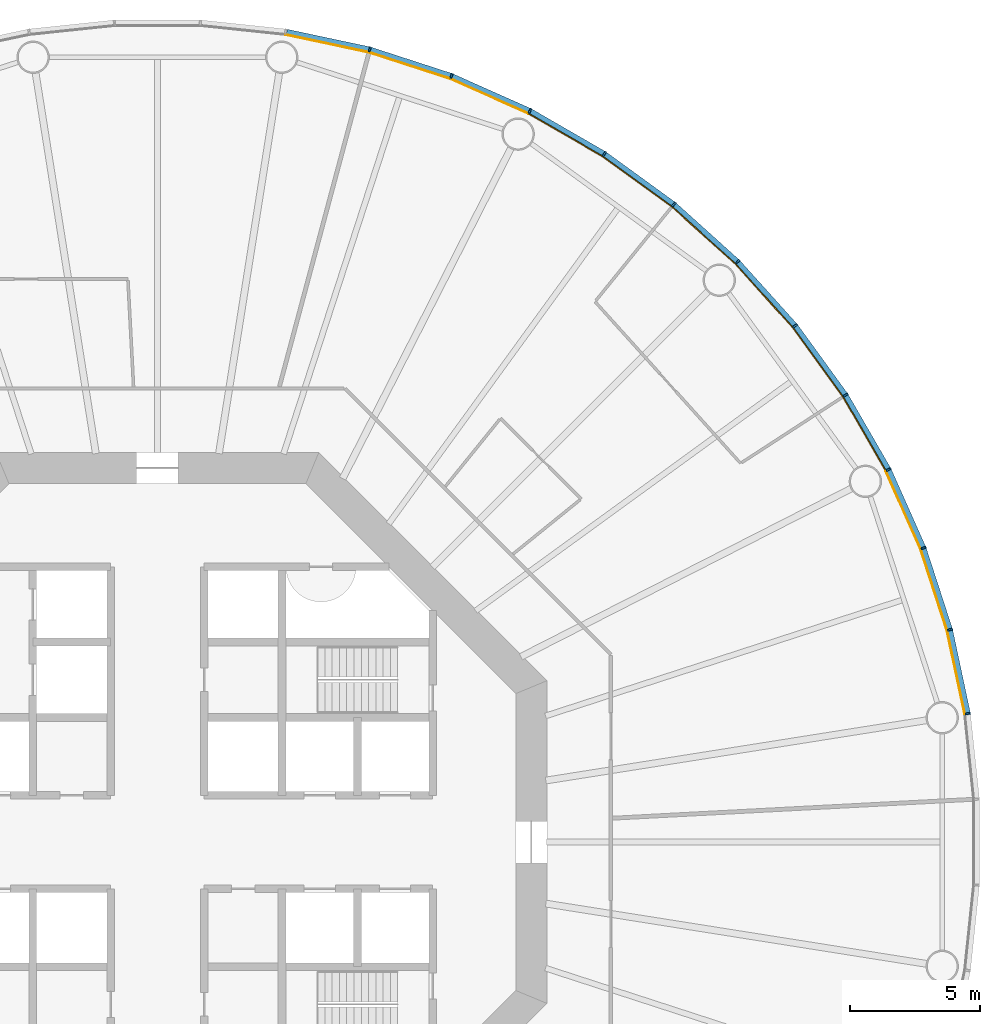
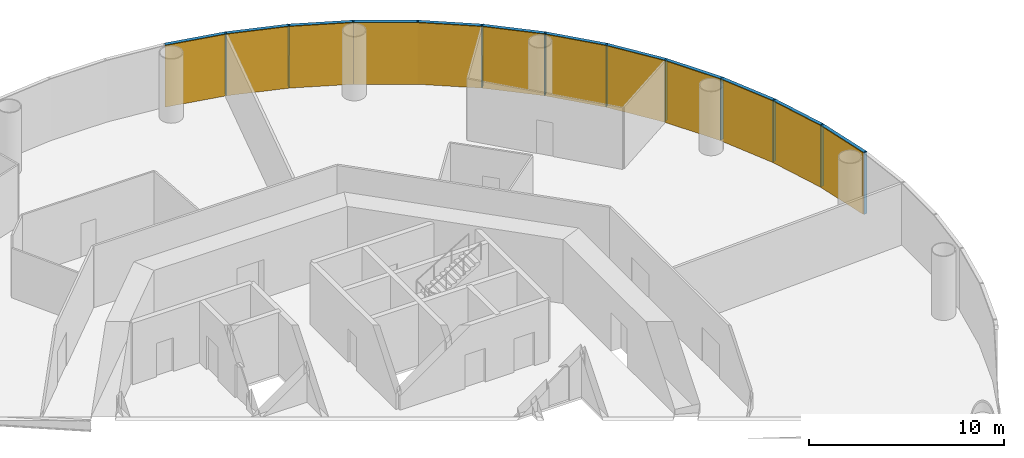
# One storey, part 12 of 13: 24 members, 4 curtain walls.
"""IFC4 building model written with IfcOpenShell, lengths in metres."""

from ifc_helpers import new_model, si_unit, direction, frame, origin, origin_2d, place, context, subcontext, project, spatial, polyline, rectangle, outline, extrude, material, layer, layer_set, material_profile, profile_set, type_object, element, aggregate, save


model = new_model("IFC4")

# Units and contexts
model_context = context("Model", 3, precision=1e-05, world=origin(), true_north=direction((0.0, 1.0)))
body_context = subcontext(model_context, "Body", "Model", "MODEL_VIEW")
ifc_project = project(units=[si_unit("LENGTHUNIT", "METRE"), si_unit("AREAUNIT", "SQUARE_METRE"), si_unit("VOLUMEUNIT", "CUBIC_METRE"), si_unit("PLANEANGLEUNIT", "RADIAN"), si_unit("MASSUNIT", "GRAM", prefix="KILO")], contexts=[model_context])

# Member
ifc_material_1 = material(Name="Anodised aluminium", Category="aluminium")
ifc_material_profile_1 = material_profile(ifc_material_1, rectangle(XDim=0.070068359375, YDim=0.199951171875, at=origin_2d()), Name="Mullion 70 x 200 mm anodised aluminium")
ifc_profile_set_1 = profile_set([ifc_material_profile_1], Name="Anodised aluminium")
member_type_1 = type_object("IfcMemberType", Name="Mullion 70 x 200 mm anodised aluminium", PredefinedType="MULLION", material=ifc_profile_set_1)
site_placement = place(None, origin())
building_placement = place(site_placement, origin())
storey_placement = place(building_placement, frame((0.0, 0.0, 100.0)))
member_1_placement = place(storey_placement, frame((121.2109375, 84.943359375, 0.0), z_axis=(0.0, 0.0, 1.0), x_axis=(-0.15643446504, 0.987688340595, 0.0)))
member_1 = element("IfcMember", 1, at=member_1_placement, type_object=member_type_1, Name="MULLION L22-00", PredefinedType="MULLION", context=body_context, shape_type="SweptSolid", body=[
    extrude(rectangle(XDim=0.070068359375, YDim=0.199951171875, at=origin_2d()), origin(), (0.0, 0.0, 1.0), 3.85009765625),
])

member_2_placement = place(storey_placement, frame((120.523193359375, 88.1787109375, 0.0), z_axis=(0.0, 0.0, 1.0), x_axis=(-0.258819045103, 0.965925826289, 0.0)))
member_2 = element("IfcMember", 2, at=member_2_placement, type_object=member_type_1, Name="MULLION L22-01", PredefinedType="MULLION", context=body_context, shape_type="SweptSolid", body=[
    extrude(rectangle(XDim=0.070068359375, YDim=0.199951171875, at=origin_2d()), origin(), (0.0, 0.0, 1.0), 3.85009765625),
])

member_3_placement = place(storey_placement, frame((119.501220703125, 91.324462890625, 0.0), z_axis=(0.0, 0.0, 1.0), x_axis=(-0.358367949545, 0.933580426497, 0.0)))
member_3 = element("IfcMember", 3, at=member_3_placement, type_object=member_type_1, Name="MULLION L22-02", PredefinedType="MULLION", context=body_context, shape_type="SweptSolid", body=[
    extrude(rectangle(XDim=0.070068359375, YDim=0.199951171875, at=origin_2d()), origin(), (0.0, 0.0, 1.0), 3.85009765625),
])

member_4_placement = place(storey_placement, frame((118.15576171875, 94.34619140625, 0.0), z_axis=(0.0, 0.0, 1.0), x_axis=(-0.45399049974, 0.891006524188, 0.0)))
member_4 = element("IfcMember", 4, at=member_4_placement, type_object=member_type_1, Name="MULLION L22-03", PredefinedType="MULLION", context=body_context, shape_type="SweptSolid", body=[
    extrude(rectangle(XDim=0.070068359375, YDim=0.199951171875, at=origin_2d()), origin(), (0.0, 0.0, 1.0), 3.85009765625),
])

member_5_placement = place(storey_placement, frame((116.501953125, 97.210693359375, 0.0), z_axis=(0.0, 0.0, 1.0), x_axis=(-0.544639035015, 0.838670567945, 0.0)))
member_5 = element("IfcMember", 5, at=member_5_placement, type_object=member_type_1, Name="MULLION L22-04", PredefinedType="MULLION", context=body_context, shape_type="SweptSolid", body=[
    extrude(rectangle(XDim=0.070068359375, YDim=0.199951171875, at=origin_2d()), origin(), (0.0, 0.0, 1.0), 3.85009765625),
])

member_6_placement = place(storey_placement, frame((114.557861328125, 99.886474609375, 0.0), z_axis=(0.0, 0.0, 1.0), x_axis=(-0.62932039105, 0.777145961457, 0.0)))
member_6 = element("IfcMember", 6, at=member_6_placement, type_object=member_type_1, Name="MULLION L22-05", PredefinedType="MULLION", context=body_context, shape_type="SweptSolid", body=[
    extrude(rectangle(XDim=0.070068359375, YDim=0.199951171875, at=origin_2d()), origin(), (0.0, 0.0, 1.0), 3.85009765625),
])

member_7_placement = place(storey_placement, frame((112.344482421875, 102.344482421875, 0.0), z_axis=(0.0, 0.0, 1.0), x_axis=(-0.707106781187, 0.707106781187, 0.0)))
member_7 = element("IfcMember", 7, at=member_7_placement, type_object=member_type_1, Name="MULLION L22-06", PredefinedType="MULLION", context=body_context, shape_type="SweptSolid", body=[
    extrude(rectangle(XDim=0.070068359375, YDim=0.199951171875, at=origin_2d()), origin(), (0.0, 0.0, 1.0), 3.85009765625),
])

member_8_placement = place(storey_placement, frame((109.886474609375, 104.557861328125, 0.0), z_axis=(0.0, 0.0, 1.0), x_axis=(-0.777145961457, 0.62932039105, 0.0)))
member_8 = element("IfcMember", 8, at=member_8_placement, type_object=member_type_1, Name="MULLION L22-07", PredefinedType="MULLION", context=body_context, shape_type="SweptSolid", body=[
    extrude(rectangle(XDim=0.070068359375, YDim=0.199951171875, at=origin_2d()), origin(), (0.0, 0.0, 1.0), 3.85009765625),
])

member_9_placement = place(storey_placement, frame((107.210693359375, 106.501953125, 0.0), z_axis=(0.0, 0.0, 1.0), x_axis=(-0.838670567945, 0.544639035015, 0.0)))
member_9 = element("IfcMember", 9, at=member_9_placement, type_object=member_type_1, Name="MULLION L22-08", PredefinedType="MULLION", context=body_context, shape_type="SweptSolid", body=[
    extrude(rectangle(XDim=0.070068359375, YDim=0.199951171875, at=origin_2d()), origin(), (0.0, 0.0, 1.0), 3.85009765625),
])

member_10_placement = place(storey_placement, frame((104.34619140625, 108.15576171875, 0.0), z_axis=(0.0, 0.0, 1.0), x_axis=(-0.891006524188, 0.45399049974, 0.0)))
member_10 = element("IfcMember", 10, at=member_10_placement, type_object=member_type_1, Name="MULLION L22-09", PredefinedType="MULLION", context=body_context, shape_type="SweptSolid", body=[
    extrude(rectangle(XDim=0.070068359375, YDim=0.199951171875, at=origin_2d()), origin(), (0.0, 0.0, 1.0), 3.85009765625),
])

member_11_placement = place(storey_placement, frame((101.324462890625, 109.501220703125, 0.0), z_axis=(0.0, 0.0, 1.0), x_axis=(-0.933580426497, 0.358367949545, 0.0)))
member_11 = element("IfcMember", 11, at=member_11_placement, type_object=member_type_1, Name="MULLION L22-10", PredefinedType="MULLION", context=body_context, shape_type="SweptSolid", body=[
    extrude(rectangle(XDim=0.070068359375, YDim=0.199951171875, at=origin_2d()), origin(), (0.0, 0.0, 1.0), 3.85009765625),
])

member_12_placement = place(storey_placement, frame((98.1787109375, 110.523193359375, 0.0), z_axis=(0.0, 0.0, 1.0), x_axis=(-0.965925826289, 0.258819045103, 0.0)))
member_12 = element("IfcMember", 12, at=member_12_placement, type_object=member_type_1, Name="MULLION L22-11", PredefinedType="MULLION", context=body_context, shape_type="SweptSolid", body=[
    extrude(rectangle(XDim=0.070068359375, YDim=0.199951171875, at=origin_2d()), origin(), (0.0, 0.0, 1.0), 3.85009765625),
])

ifc_material_2 = material(Name="Anodised aluminium", Category="aluminium")
ifc_material_profile_2 = material_profile(ifc_material_2, rectangle(XDim=0.199951171875, YDim=0.18994140625, at=origin_2d()), Name="Transom 190 x 200 mm anodised aluminium")
ifc_profile_set_2 = profile_set([ifc_material_profile_2], Name="Anodised aluminium")
member_type_2 = type_object("IfcMemberType", Name="Transom 190 x 200 mm anodised aluminium", PredefinedType="USERDEFINED", material=ifc_profile_set_2)
member_13_placement = place(storey_placement, frame((121.20263671875, 84.982666015625, 3.7548828125), z_axis=(-0.207885898771, 0.978153082647, 0.0), x_axis=(-0.978153082647, -0.207885898771, 0.0)))
member_13 = element("IfcMember", 13, at=member_13_placement, type_object=member_type_2, Name="TRANSOM L22-00", ObjectType="TRANSOM", PredefinedType="USERDEFINED", context=body_context, shape_type="SweptSolid", body=[
    extrude(rectangle(XDim=0.199951171875, YDim=0.18994140625, at=origin_2d()), origin(), (0.0, 0.0, 1.0), 3.227294921875),
])

member_14_placement = place(storey_placement, frame((120.510986328125, 88.217041015625, 3.7548828125), z_axis=(-0.309046726844, 0.951046855117, 0.0), x_axis=(-0.951046855117, -0.309046726844, 0.0)))
member_14 = element("IfcMember", 14, at=member_14_placement, type_object=member_type_2, Name="TRANSOM L22-01", ObjectType="TRANSOM", PredefinedType="USERDEFINED", context=body_context, shape_type="SweptSolid", body=[
    extrude(rectangle(XDim=0.199951171875, YDim=0.18994140625, at=origin_2d()), origin(), (0.0, 0.0, 1.0), 3.22705078125),
])

member_15_placement = place(storey_placement, frame((119.48486328125, 91.361328125, 3.7548828125), z_axis=(-0.406728032322, 0.913549291349, 0.0), x_axis=(-0.913549291349, -0.406728032322, 0.0)))
member_15 = element("IfcMember", 15, at=member_15_placement, type_object=member_type_2, Name="TRANSOM L22-02", ObjectType="TRANSOM", PredefinedType="USERDEFINED", context=body_context, shape_type="SweptSolid", body=[
    extrude(rectangle(XDim=0.199951171875, YDim=0.18994140625, at=origin_2d()), origin(), (0.0, 0.0, 1.0), 3.22705078125),
])

member_16_placement = place(storey_placement, frame((118.1357421875, 94.381103515625, 3.7548828125), z_axis=(-0.500004055213, 0.866023062494, 0.0), x_axis=(-0.866023062494, -0.500004055213, 0.0)))
member_16 = element("IfcMember", 16, at=member_16_placement, type_object=member_type_2, Name="TRANSOM L22-03", ObjectType="TRANSOM", PredefinedType="USERDEFINED", context=body_context, shape_type="SweptSolid", body=[
    extrude(rectangle(XDim=0.199951171875, YDim=0.18994140625, at=origin_2d()), origin(), (0.0, 0.0, 1.0), 3.22705078125),
])

member_17_placement = place(storey_placement, frame((116.478515625, 97.2431640625, 3.7548828125), z_axis=(-0.587802790201, 0.809004252048, 0.0), x_axis=(-0.809004252048, -0.587802790201, 0.0)))
member_17 = element("IfcMember", 17, at=member_17_placement, type_object=member_type_2, Name="TRANSOM L22-04", ObjectType="TRANSOM", PredefinedType="USERDEFINED", context=body_context, shape_type="SweptSolid", body=[
    extrude(rectangle(XDim=0.199951171875, YDim=0.18994140625, at=origin_2d()), origin(), (0.0, 0.0, 1.0), 3.227294921875),
])

member_18_placement = place(storey_placement, frame((114.531005859375, 99.91650390625, 3.7548828125), z_axis=(-0.669144438484, 0.743132370743, 0.0), x_axis=(-0.743132370743, -0.669144438484, 0.0)))
member_18 = element("IfcMember", 18, at=member_18_placement, type_object=member_type_2, Name="TRANSOM L22-05", ObjectType="TRANSOM", PredefinedType="USERDEFINED", context=body_context, shape_type="SweptSolid", body=[
    extrude(rectangle(XDim=0.199951171875, YDim=0.18994140625, at=origin_2d()), origin(), (0.0, 0.0, 1.0), 3.22705078125),
])

member_19_placement = place(storey_placement, frame((112.314697265625, 102.37158203125, 3.7548828125), z_axis=(-0.743132370743, 0.669144438484, 0.0), x_axis=(-0.669144438484, -0.743132370743, 0.0)))
member_19 = element("IfcMember", 19, at=member_19_placement, type_object=member_type_2, Name="TRANSOM L22-06", ObjectType="TRANSOM", PredefinedType="USERDEFINED", context=body_context, shape_type="SweptSolid", body=[
    extrude(rectangle(XDim=0.199951171875, YDim=0.18994140625, at=origin_2d()), origin(), (0.0, 0.0, 1.0), 3.22705078125),
])

member_20_placement = place(storey_placement, frame((109.85400390625, 104.58154296875, 3.7548828125), z_axis=(-0.809004252048, 0.587802790201, 0.0), x_axis=(-0.587802790201, -0.809004252048, 0.0)))
member_20 = element("IfcMember", 20, at=member_20_placement, type_object=member_type_2, Name="TRANSOM L22-07", ObjectType="TRANSOM", PredefinedType="USERDEFINED", context=body_context, shape_type="SweptSolid", body=[
    extrude(rectangle(XDim=0.199951171875, YDim=0.18994140625, at=origin_2d()), origin(), (0.0, 0.0, 1.0), 3.227294921875),
])

member_21_placement = place(storey_placement, frame((107.17578125, 106.522216796875, 3.7548828125), z_axis=(-0.866023062494, 0.500004055213, 0.0), x_axis=(-0.500004055213, -0.866023062494, 0.0)))
member_21 = element("IfcMember", 21, at=member_21_placement, type_object=member_type_2, Name="TRANSOM L22-08", ObjectType="TRANSOM", PredefinedType="USERDEFINED", context=body_context, shape_type="SweptSolid", body=[
    extrude(rectangle(XDim=0.199951171875, YDim=0.18994140625, at=origin_2d()), origin(), (0.0, 0.0, 1.0), 3.22705078125),
])

member_22_placement = place(storey_placement, frame((104.309326171875, 108.17236328125, 3.7548828125), z_axis=(-0.913549291349, 0.406728032322, 0.0), x_axis=(-0.406728032322, -0.913549291349, 0.0)))
member_22 = element("IfcMember", 22, at=member_22_placement, type_object=member_type_2, Name="TRANSOM L22-09", ObjectType="TRANSOM", PredefinedType="USERDEFINED", context=body_context, shape_type="SweptSolid", body=[
    extrude(rectangle(XDim=0.199951171875, YDim=0.18994140625, at=origin_2d()), origin(), (0.0, 0.0, 1.0), 3.22705078125),
])

member_23_placement = place(storey_placement, frame((101.2861328125, 109.513671875, 3.7548828125), z_axis=(-0.951046855117, 0.309046726844, 0.0), x_axis=(-0.309046726844, -0.951046855117, 0.0)))
member_23 = element("IfcMember", 23, at=member_23_placement, type_object=member_type_2, Name="TRANSOM L22-10", ObjectType="TRANSOM", PredefinedType="USERDEFINED", context=body_context, shape_type="SweptSolid", body=[
    extrude(rectangle(XDim=0.199951171875, YDim=0.18994140625, at=origin_2d()), origin(), (0.0, 0.0, 1.0), 3.22705078125),
])

member_24_placement = place(storey_placement, frame((98.139404296875, 110.53173828125, 3.7548828125), z_axis=(-0.978153082647, 0.207885898771, 0.0), x_axis=(-0.207885898771, -0.978153082647, 0.0)))
member_24 = element("IfcMember", 24, at=member_24_placement, type_object=member_type_2, Name="TRANSOM L22-11", ObjectType="TRANSOM", PredefinedType="USERDEFINED", context=body_context, shape_type="SweptSolid", body=[
    extrude(rectangle(XDim=0.199951171875, YDim=0.18994140625, at=origin_2d()), origin(), (0.0, 0.0, 1.0), 3.227294921875),
])

# Site, building, storey
site = spatial("IfcSite", under=ifc_project, at=site_placement, CompositionType="ELEMENT")
building = spatial("IfcBuilding", under=site, at=building_placement, Name="Entoto Ring Tower", CompositionType="ELEMENT")
storey = spatial("IfcBuildingStorey", under=building, at=storey_placement, Name="L22", CompositionType="ELEMENT", Elevation=100.0)

# Curtain wall
ifc_material_3 = material(Name="Clear low-iron glass", Category="glass")
ifc_layer = layer(ifc_material_3, 0.035888671875)
ifc_layer_set = layer_set([ifc_layer], Name="Clear low-iron glass")
curtain_wall_type = type_object("IfcCurtainWallType", Name="Curtain wall system CW2 glazing 36 mm", PredefinedType="NOTDEFINED", material=ifc_layer_set)
curtain_wall_1_placement = place(storey_placement, origin())
curtain_wall_1 = element("IfcCurtainWall", 25, at=curtain_wall_1_placement, inside=storey, type_object=curtain_wall_type, Name="CW2 L22-01", PredefinedType="NOTDEFINED", context=body_context, shape_type="SweptSolid", body=[
    extrude(outline(polyline([(121.1123046875, 84.927734375), (120.4267578125, 88.15283203125), (119.40771484375, 91.28857421875), (118.066650390625, 94.30078125), (118.03466796875, 94.284423828125), (119.3740234375, 91.275634765625), (120.391845703125, 88.1435546875), (121.07666015625, 84.922119140625), (121.1123046875, 84.927734375)])), origin(), (0.0, 0.0, 1.0), 3.85009765625),
])

aggregate(curtain_wall_1, [member_1, member_2, member_3, member_13, member_14, member_15])

curtain_wall_2_placement = place(storey_placement, origin())
curtain_wall_2 = element("IfcCurtainWall", 26, at=curtain_wall_2_placement, inside=storey, type_object=curtain_wall_type, Name="CW2 L22-02", PredefinedType="NOTDEFINED", context=body_context, shape_type="SweptSolid", body=[
    extrude(outline(polyline([(118.066650390625, 94.30078125), (116.418212890625, 97.15625), (114.47998046875, 99.823486328125), (112.27392578125, 102.27392578125), (112.248291015625, 102.248291015625), (114.4521484375, 99.801025390625), (116.387939453125, 97.136474609375), (118.03466796875, 94.284423828125), (118.066650390625, 94.30078125)])), origin(), (0.0, 0.0, 1.0), 3.85009765625),
])

aggregate(curtain_wall_2, [member_4, member_5, member_6, member_16, member_17, member_18])

curtain_wall_3_placement = place(storey_placement, origin())
curtain_wall_3 = element("IfcCurtainWall", 27, at=curtain_wall_3_placement, inside=storey, type_object=curtain_wall_type, Name="CW2 L22-03", PredefinedType="NOTDEFINED", context=body_context, shape_type="SweptSolid", body=[
    extrude(outline(polyline([(112.27392578125, 102.27392578125), (109.823486328125, 104.47998046875), (107.15625, 106.418212890625), (104.30078125, 108.066650390625), (104.284423828125, 108.03466796875), (107.136474609375, 106.387939453125), (109.801025390625, 104.4521484375), (112.248291015625, 102.248291015625), (112.27392578125, 102.27392578125)])), origin(), (0.0, 0.0, 1.0), 3.85009765625),
])

aggregate(curtain_wall_3, [member_7, member_8, member_9, member_19, member_20, member_21])

curtain_wall_4_placement = place(storey_placement, origin())
curtain_wall_4 = element("IfcCurtainWall", 28, at=curtain_wall_4_placement, inside=storey, type_object=curtain_wall_type, Name="CW2 L22-04", PredefinedType="NOTDEFINED", context=body_context, shape_type="SweptSolid", body=[
    extrude(outline(polyline([(104.30078125, 108.066650390625), (101.28857421875, 109.40771484375), (98.15283203125, 110.4267578125), (94.927734375, 111.1123046875), (94.922119140625, 111.07666015625), (98.1435546875, 110.391845703125), (101.275634765625, 109.3740234375), (104.284423828125, 108.03466796875), (104.30078125, 108.066650390625)])), origin(), (0.0, 0.0, 1.0), 3.85009765625),
])

aggregate(curtain_wall_4, [member_10, member_11, member_12, member_22, member_23, member_24])

save(model, "model.ifc")
